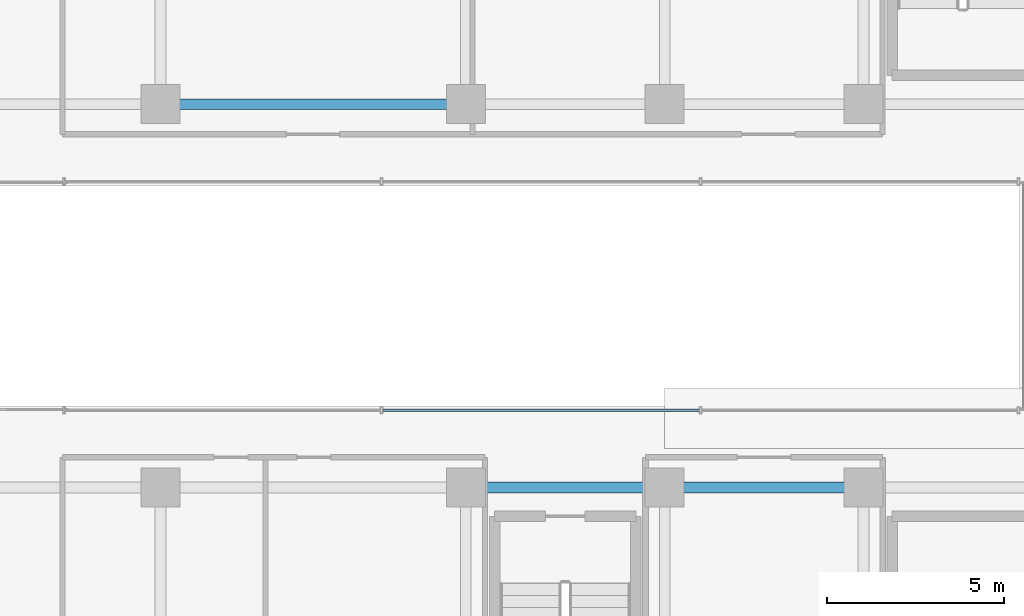
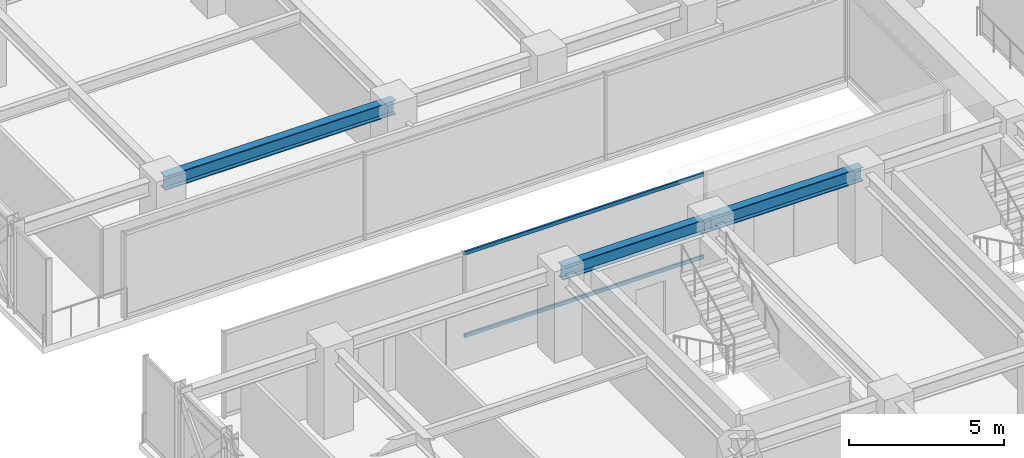
# One storey, part 10 of 43: 3 beams, 2 members, 1 element without a shape of its own.
"""IFC4 building model written with IfcOpenShell, lengths in metres."""

from ifc_helpers import new_model, si_unit, direction, frame, origin, origin_2d, place, context, subcontext, project, spatial, hollow_rectangle, i_section, extrude, source, transform, mapped, material, material_profile, profile_set, type_object, element, aggregate, save


model = new_model("IFC4")

# Units and contexts
model_context = context("Model", 3, precision=1e-05, world=origin(), true_north=direction((0.0, 1.0)))
body_context = subcontext(model_context, "Body", "Model", "MODEL_VIEW")
ifc_project = project(units=[si_unit("LENGTHUNIT", "METRE"), si_unit("AREAUNIT", "SQUARE_METRE"), si_unit("VOLUMEUNIT", "CUBIC_METRE"), si_unit("PLANEANGLEUNIT", "RADIAN"), si_unit("MASSUNIT", "GRAM", prefix="KILO")], contexts=[model_context])

# Site, building, storey
site_placement = place(None, origin())
site = spatial("IfcSite", under=ifc_project, at=site_placement, CompositionType="ELEMENT")
building_placement = place(site_placement, origin())
building = spatial("IfcBuilding", under=site, at=building_placement, Name="Nahalor Promenade Grand Hotel", CompositionType="ELEMENT")
storey_placement = place(building_placement, frame((0.0, 0.0, 181.85009765625)))
storey = spatial("IfcBuildingStorey", under=building, at=storey_placement, Name="L46", CompositionType="ELEMENT", Elevation=181.85009765625)

# Beams
ifc_material_1 = material(Name="Steel S355JR", Category="steel")
ifc_material_profile_1 = material_profile(ifc_material_1, i_section(OverallWidth=0.3, OverallDepth=0.55, WebThickness=0.015, FlangeThickness=0.029, at=origin_2d()), Name="HEB 550")
ifc_profile_set_1 = profile_set([ifc_material_profile_1], Name="Steel S355JR")
beam_type = type_object("IfcBeamType", Name="Beam-Girder-HEB550", PredefinedType="BEAM", material=ifc_profile_set_1)
shared_shape_1 = source(origin(), body_context, "Body", "SweptSolid", [
    extrude(i_section(OverallWidth=0.3, OverallDepth=0.55, WebThickness=0.015, FlangeThickness=0.029, at=origin_2d()), origin(), (0.0, 0.0, 1.0), 8.60009765625),
])
beam_1_placement = place(storey_placement, frame((-17.0, 5.39990234375, 3.114990234375), z_axis=(1.0, 0.0, 0.0), x_axis=(0.0, 1.0, 0.0)))
element("IfcBeam", 1, at=beam_1_placement, inside=storey, type_object=beam_type, Name="BM-L46-GX-2-1", PredefinedType="BEAM", context=body_context, shape_type="MappedRepresentation", body=[
    mapped(shared_shape_1, transform((0.0, 0.0, 0.0), scale=1.0)),
])
shared_shape_2 = source(origin(), body_context, "Body", "SweptSolid", [
    extrude(i_section(OverallWidth=0.3, OverallDepth=0.55, WebThickness=0.015, FlangeThickness=0.029, at=origin_2d()), origin(), (0.0, 0.0, 1.0), 5.599853515625),
])
beam_2_placement = place(storey_placement, frame((-8.39990234375, -5.39990234375, 3.114990234375), z_axis=(1.0, 0.0, 0.0), x_axis=(0.0, 1.0, 0.0)))
element("IfcBeam", 2, at=beam_2_placement, inside=storey, type_object=beam_type, Name="BM-L46-GX-1-2", PredefinedType="BEAM", context=body_context, shape_type="MappedRepresentation", body=[
    mapped(shared_shape_2, transform((0.0, 0.0, 0.0), scale=1.0)),
])
shared_shape_3 = source(origin(), body_context, "Body", "SweptSolid", [
    extrude(i_section(OverallWidth=0.3, OverallDepth=0.55, WebThickness=0.015, FlangeThickness=0.029, at=origin_2d()), origin(), (0.0, 0.0, 1.0), 5.60009765625),
])
beam_3_placement = place(storey_placement, frame((-2.800048828125, -5.39990234375, 3.114990234375), z_axis=(1.0, 0.0, 0.0), x_axis=(0.0, 1.0, 0.0)))
element("IfcBeam", 3, at=beam_3_placement, inside=storey, type_object=beam_type, Name="BM-L46-GX-1-3", PredefinedType="BEAM", context=body_context, shape_type="MappedRepresentation", body=[
    mapped(shared_shape_3, transform((0.0, 0.0, 0.0), scale=1.0)),
])

# Curtain wall, members
ifc_material_2 = material(Name="Anodised Bronze Aluminium EN AW-6063 T6", Category="aluminium")
curtain_wall_type = type_object("IfcCurtainWallType", Name="CW3 Elliptical-Void Collar Unitised Curtain Wall", PredefinedType="USERDEFINED", material=ifc_material_2)
curtain_wall_placement = place(storey_placement, origin())
curtain_wall = element("IfcCurtainWall", 4, at=curtain_wall_placement, inside=storey, type_object=curtain_wall_type, Name="L46 Curtain Wall CW-L46-VOID-WS1", ObjectType="UNITISED_CURTAIN_WALL", PredefinedType="USERDEFINED")
ifc_material_profile_2 = material_profile(ifc_material_2, hollow_rectangle(XDim=0.07, YDim=0.14, WallThickness=0.004, at=origin_2d()), Name="CWT 70x140x4")
ifc_profile_set_2 = profile_set([ifc_material_profile_2], Name="Anodised Bronze Aluminium EN AW-6063 T6")
member_type = type_object("IfcMemberType", Name="CWT3 Void Collar Transom 70x140", PredefinedType="USERDEFINED", material=ifc_profile_set_2)
shared_shape_4 = source(origin(), body_context, "Body", "SweptSolid", [
    extrude(hollow_rectangle(XDim=0.07, YDim=0.14, WallThickness=0.004, at=origin_2d()), origin(), (0.0, 0.0, 1.0), 8.91650390625),
])
member_1_placement = place(storey_placement, frame((-10.73828125, -3.219970703125, 0.06982421875), z_axis=(1.0, 0.0, 0.0), x_axis=(0.0, 1.0, 0.0)))
member_1 = element("IfcMember", 5, at=member_1_placement, type_object=member_type, Name="CW-L46-VOID-WS1 Transom 1-0", ObjectType="TRANSOM", PredefinedType="USERDEFINED", context=body_context, shape_type="MappedRepresentation", body=[
    mapped(shared_shape_4, transform((0.0, 0.0, 0.0), scale=1.0)),
])
member_2_placement = place(storey_placement, frame((-10.73828125, -3.219970703125, 3.31982421875), z_axis=(1.0, 0.0, 0.0), x_axis=(0.0, 1.0, 0.0)))
member_2 = element("IfcMember", 6, at=member_2_placement, type_object=member_type, Name="CW-L46-VOID-WS1 Transom 1-1", ObjectType="TRANSOM", PredefinedType="USERDEFINED", context=body_context, shape_type="MappedRepresentation", body=[
    mapped(shared_shape_4, transform((0.0, 0.0, 0.0), scale=1.0)),
])
aggregate(curtain_wall, [member_1, member_2])

save(model, "model.ifc")
